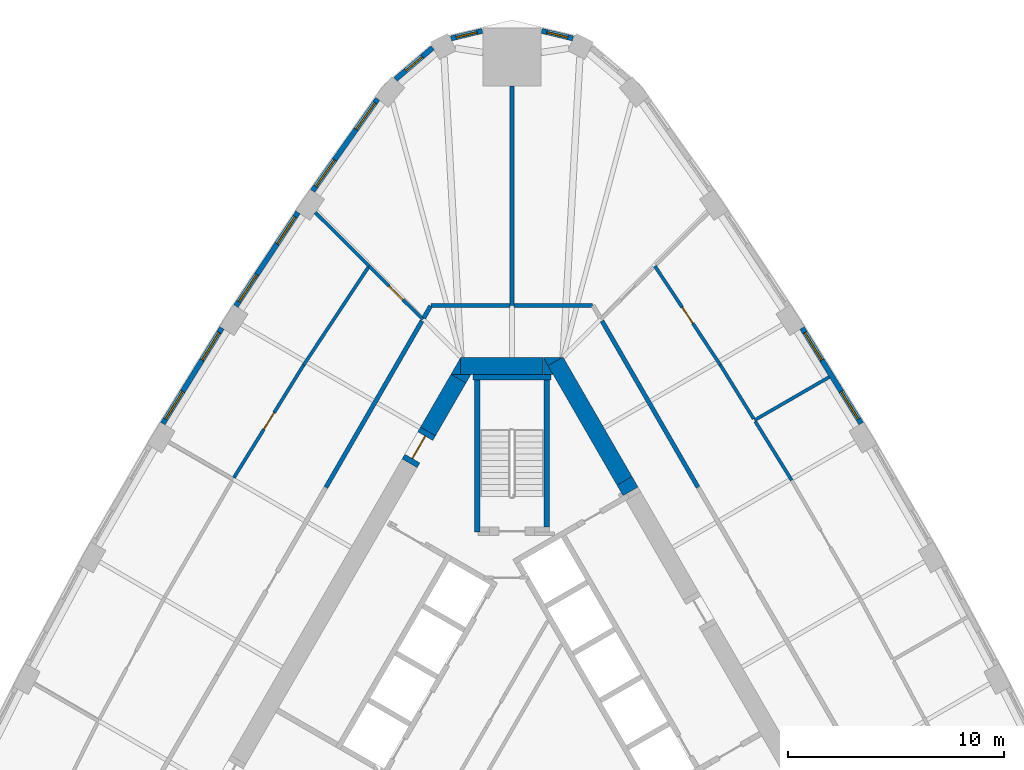
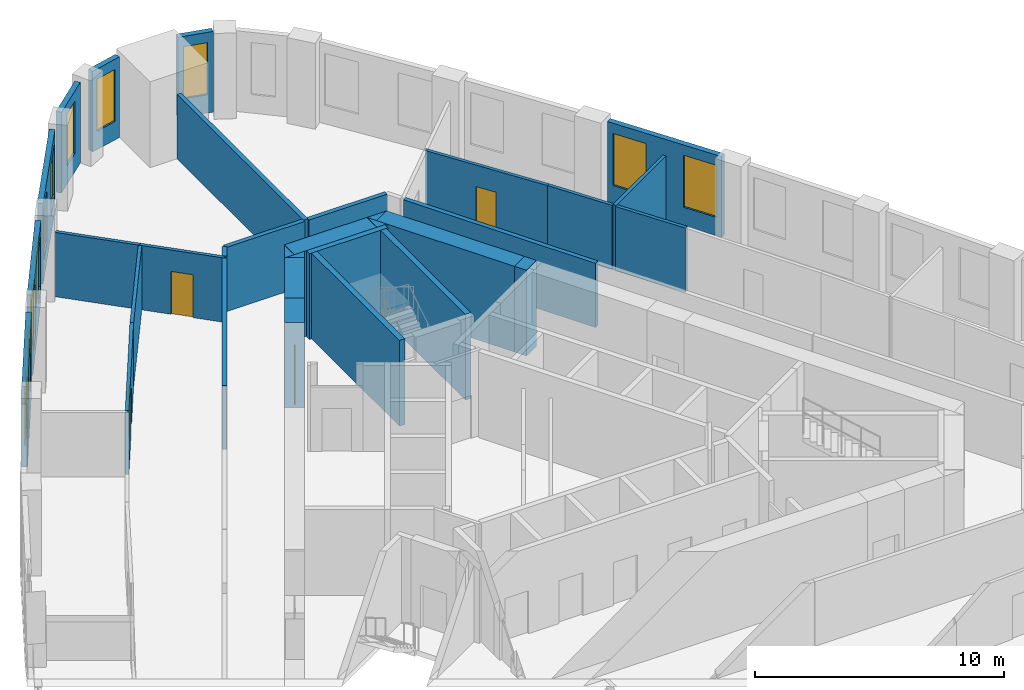
# One storey, part 8 of 10: 33 walls, 11 windows, 4 doors, 15 openings.
"""IFC4 building model written with IfcOpenShell, lengths in metres."""

from ifc_helpers import new_model, si_unit, direction, frame, frame_2d, origin, place, context, subcontext, project, spatial, polyline, rectangle, outline, extrude, material, layer, layer_set, type_object, element, fill, save


model = new_model("IFC4")

# Units and contexts
model_context = context("Model", 3, precision=1e-05, world=origin(), true_north=direction((0.0, 1.0)))
body_context = subcontext(model_context, "Body", "Model", "MODEL_VIEW")
ifc_project = project(units=[si_unit("LENGTHUNIT", "METRE"), si_unit("AREAUNIT", "SQUARE_METRE"), si_unit("VOLUMEUNIT", "CUBIC_METRE"), si_unit("PLANEANGLEUNIT", "RADIAN"), si_unit("MASSUNIT", "GRAM", prefix="KILO")], contexts=[model_context])

# Site, building, storey
site_placement = place(None, origin())
site = spatial("IfcSite", under=ifc_project, at=site_placement, CompositionType="ELEMENT")
building_placement = place(site_placement, origin())
building = spatial("IfcBuilding", under=site, at=building_placement, Name="Mestral Congress Tower", CompositionType="ELEMENT")
storey_placement = place(building_placement, frame((0.0, 0.0, 150.0)))
storey = spatial("IfcBuildingStorey", under=building, at=storey_placement, Name="L35", CompositionType="ELEMENT", Elevation=150.0)

# Walls
ifc_material_1 = material(Name="Concrete C60/75", Category="concrete")
ifc_layer_1 = layer(ifc_material_1, 0.800048828125)
ifc_layer_set_1 = layer_set([ifc_layer_1], Name="Concrete C60/75")
wall_type_1 = type_object("IfcWallType", Name="Core wall RC 800", PredefinedType="SOLIDWALL", material=ifc_layer_set_1)
wall_1_placement = place(storey_placement, frame((5.488525390625, 10.593505859375, 0.0), z_axis=(0.0, 0.0, 1.0), x_axis=(-0.500000383388, 0.866025182435, 0.0)))
element("IfcWall", 1, at=wall_1_placement, inside=storey, type_object=wall_type_1, Name="L35 core wall", PredefinedType="SOLIDWALL", context=body_context, shape_type="SweptSolid", body=[
    extrude(rectangle(XDim=0.5576171875, YDim=0.800048828125, at=frame_2d((0.27880859375, 0.0))), origin(), (0.0, 0.0, 1.0), 4.199951171875),
])
wall_2_placement = place(storey_placement, frame((5.208984375, 11.078125, 0.0), z_axis=(0.0, 0.0, 1.0), x_axis=(-0.500035624827, 0.866004834804, 0.0)))
element("IfcWall", 2, at=wall_2_placement, inside=storey, type_object=wall_type_1, Name="L35 core wall", PredefinedType="SOLIDWALL", context=body_context, shape_type="SweptSolid", body=[
    extrude(rectangle(XDim=6.38818359375, YDim=0.800048828125, at=frame_2d((3.194091796875, 0.0))), origin(), (0.0, 0.0, 1.0), 4.199951171875),
])
placement = place(storey_placement, origin())
element("IfcWall", 3, at=placement, inside=storey, type_object=wall_type_1, Name="L35 core wall", PredefinedType="SOLIDWALL", context=body_context, shape_type="SweptSolid", body=[
    extrude(outline(polyline([(1.443359375, 16.800048828125), (2.33935546875, 16.800048828125), (1.667236328125, 16.412109375), (1.443359375, 16.800048828125)])), origin(), (0.0, 0.0, 1.0), 4.199951171875),
])
wall_4_placement = place(storey_placement, frame((-2.37890625, 16.39990234375, 0.0), z_axis=(0.0, 0.0, 1.0), x_axis=(1.0, 0.0, 0.0)))
element("IfcWall", 4, at=wall_4_placement, inside=storey, type_object=wall_type_1, Name="L35 core wall", PredefinedType="SOLIDWALL", context=body_context, shape_type="SweptSolid", body=[
    extrude(rectangle(XDim=3.82421875, YDim=0.800048828125, at=frame_2d((1.912109375, 0.0))), origin(), (0.0, 0.0, 1.0), 4.199951171875),
])
element("IfcWall", 5, at=placement, inside=storey, type_object=wall_type_1, Name="L35 core wall", PredefinedType="SOLIDWALL", context=body_context, shape_type="SweptSolid", body=[
    extrude(outline(polyline([(1.9052734375, 16.0), (1.447265625, 16.0), (1.447265625, 16.793212890625), (1.9052734375, 16.0)])), origin(), (0.0, 0.0, 1.0), 4.199951171875),
])
element("IfcWall", 6, at=placement, inside=storey, type_object=wall_type_1, Name="L35 core wall", PredefinedType="SOLIDWALL", context=body_context, shape_type="SweptSolid", body=[
    extrude(outline(polyline([(-2.8291015625, 16.0), (-2.381103515625, 16.77587890625), (-2.381103515625, 16.0), (-2.8291015625, 16.0)])), origin(), (0.0, 0.0, 1.0), 4.199951171875),
])
wall_7_placement = place(storey_placement, frame((-2.476806640625, 15.810302734375, 0.0), z_axis=(0.0, 0.0, 1.0), x_axis=(-0.499969377405, -0.866043083026, 0.0)))
element("IfcWall", 7, at=wall_7_placement, inside=storey, type_object=wall_type_1, Name="L35 core wall", PredefinedType="SOLIDWALL", context=body_context, shape_type="SweptSolid", body=[
    extrude(rectangle(XDim=2.824462890625, YDim=0.800048828125, at=frame_2d((1.412109375, 0.0))), origin(), (0.0, 0.0, 1.0), 4.199951171875),
])
element("IfcWall", 8, at=placement, inside=storey, type_object=wall_type_1, Name="L35 core wall", PredefinedType="SOLIDWALL", context=body_context, shape_type="SweptSolid", body=[
    extrude(outline(polyline([(-1.9052734375, 16.0), (-2.12939453125, 15.612060546875), (-2.80126953125, 16.0), (-1.9052734375, 16.0)])), origin(), (0.0, 0.0, 1.0), 4.199951171875),
])

# Wall, opening, door
wall_9_placement = place(storey_placement, frame((-4.739013671875, 11.89208984375, 0.0), z_axis=(0.0, 0.0, 1.0), x_axis=(0.500062241894, 0.865989465428, 0.0)))
wall_9 = element("IfcWall", 9, at=wall_9_placement, inside=storey, type_object=wall_type_1, Name="L35 door wall", PredefinedType="SOLIDWALL", context=body_context, shape_type="SweptSolid", body=[
    extrude(rectangle(XDim=1.699951171875, YDim=0.800048828125, at=frame_2d((0.85009765625, 0.0))), origin(), (0.0, 0.0, 1.0), 4.199951171875),
])
opening_1_placement = place(wall_9_placement, frame((0.25, 0.0, 0.0)))
opening_1 = element("IfcOpeningElement", 10, at=opening_1_placement, cuts=wall_9, Name="Opening XD2", PredefinedType="OPENING", context=body_context, shape_type="SweptSolid", body=[
    extrude(rectangle(XDim=1.199951171875, YDim=2.10009765625, at=frame_2d((0.60009765625, 1.050048828125))), frame((0.0, 0.409912109375, 0.0), z_axis=(0.0, -1.0, 0.0), x_axis=(1.0, 0.0, 0.0)), (0.0, 0.0, 1.0), 0.820068359375),
])
ifc_material_2 = material(Name="Fire-rated steel door set", Category="steel")
door_type_1 = type_object("IfcDoorType", Name="Core door XD 1200x2100", OperationType="SINGLE_SWING_LEFT", PredefinedType="DOOR", material=ifc_material_2)
door_1_placement = place(opening_1_placement, origin())
door_1 = element("IfcDoor", 11, at=door_1_placement, inside=storey, type_object=door_type_1, Name="Door XD2", OperationType="SINGLE_SWING_LEFT", OverallHeight=2.10009765625, OverallWidth=1.199951171875, PredefinedType="DOOR", context=body_context, shape_type="SweptSolid", body=[
    extrude(rectangle(XDim=1.199951171875, YDim=2.10009765625, at=frame_2d((0.60009765625, 1.050048828125))), frame((0.0, 0.02490234375, 0.0), z_axis=(0.0, -1.0, 0.0), x_axis=(1.0, 0.0, 0.0)), (0.0, 0.0, 1.0), 0.050048828125),
])
fill(opening_1, door_1)

# Wall, openings, windows
ifc_material_3 = material(Name="Precast concrete C40/50 with limestone facing", Category="masonry")
ifc_layer_2 = layer(ifc_material_3, 0.239990234375)
ifc_layer_set_2 = layer_set([ifc_layer_2], Name="Precast concrete C40/50 with limestone facing")
wall_type_2 = type_object("IfcWallType", Name="Facade stone wall 240", PredefinedType="SOLIDWALL", material=ifc_layer_set_2)
wall_10_placement = place(storey_placement, frame((16.170654296875, 13.731201171875, 0.0), z_axis=(0.0, 0.0, 1.0), x_axis=(-0.526197926587, 0.850362124072, 0.0)))
wall_10 = element("IfcWall", 12, at=wall_10_placement, inside=storey, type_object=wall_type_2, Name="Facade wall F1-04", PredefinedType="SOLIDWALL", context=body_context, shape_type="SweptSolid", body=[
    extrude(rectangle(XDim=5.203369140625, YDim=0.239990234375, at=frame_2d((2.6015625, 0.0))), origin(), (0.0, 0.0, 1.0), 3.949951171875),
])
opening_2_placement = place(wall_10_placement, frame((0.248291015625, 0.0, 0.89990234375)))
opening_2 = element("IfcOpeningElement", 13, at=opening_2_placement, cuts=wall_10, Name="Opening W4", PredefinedType="OPENING", context=body_context, shape_type="SweptSolid", body=[
    extrude(rectangle(XDim=1.5, YDim=2.550048828125, at=frame_2d((0.75, 1.27490234375))), frame((0.0, 0.1298828125, 0.0), z_axis=(0.0, -1.0, 0.0), x_axis=(1.0, 0.0, 0.0)), (0.0, 0.0, 1.0), 0.260009765625),
])
opening_3_placement = place(wall_10_placement, frame((3.455078125, 0.0, 0.89990234375)))
opening_3 = element("IfcOpeningElement", 14, at=opening_3_placement, cuts=wall_10, Name="Opening W4", PredefinedType="OPENING", context=body_context, shape_type="SweptSolid", body=[
    extrude(rectangle(XDim=1.5, YDim=2.550048828125, at=frame_2d((0.75, 1.27490234375))), frame((0.0, 0.1298828125, 0.0), z_axis=(0.0, -1.0, 0.0), x_axis=(1.0, 0.0, 0.0)), (0.0, 0.0, 1.0), 0.260009765625),
])
ifc_material_4 = material(Name="Clear low-emissivity double glazing", Category="glass")
window_type_1 = type_object("IfcWindowType", Name="Facade punched window 1500 x 2550 sill 900", PartitioningType="SINGLE_PANEL", PredefinedType="WINDOW", material=ifc_material_4)
window_1_placement = place(opening_2_placement, origin())
window_1 = element("IfcWindow", 15, at=window_1_placement, inside=storey, type_object=window_type_1, Name="Window F1-04a", OverallHeight=2.550048828125, OverallWidth=1.5, PartitioningType="SINGLE_PANEL", PredefinedType="WINDOW", context=body_context, shape_type="SweptSolid", body=[
    extrude(rectangle(XDim=1.5, YDim=2.550048828125, at=frame_2d((0.75, 1.27490234375))), frame((0.0, 0.0400390625, 0.0), z_axis=(0.0, -1.0, 0.0), x_axis=(1.0, 0.0, 0.0)), (0.0, 0.0, 1.0), 0.06005859375),
])
fill(opening_2, window_1)
window_2_placement = place(opening_3_placement, origin())
window_2 = element("IfcWindow", 16, at=window_2_placement, inside=storey, type_object=window_type_1, Name="Window F1-04b", OverallHeight=2.550048828125, OverallWidth=1.5, PartitioningType="SINGLE_PANEL", PredefinedType="WINDOW", context=body_context, shape_type="SweptSolid", body=[
    extrude(rectangle(XDim=1.5, YDim=2.550048828125, at=frame_2d((0.75, 1.27490234375))), frame((0.0, 0.0400390625, 0.0), z_axis=(0.0, -1.0, 0.0), x_axis=(1.0, 0.0, 0.0)), (0.0, 0.0, 1.0), 0.06005859375),
])
fill(opening_3, window_2)

# Wall, opening, window
wall_11_placement = place(storey_placement, frame((2.821044921875, 31.56640625, 0.0), z_axis=(0.0, 0.0, 1.0), x_axis=(-0.972479955788, 0.232986556673, 0.0)))
wall_11 = element("IfcWall", 17, at=wall_11_placement, inside=storey, type_object=wall_type_2, Name="Facade wall K1-1", PredefinedType="SOLIDWALL", context=body_context, shape_type="SweptSolid", body=[
    extrude(rectangle(XDim=1.481689453125, YDim=0.239990234375, at=frame_2d((0.74072265625, 0.0))), origin(), (0.0, 0.0, 1.0), 3.949951171875),
])
opening_4_placement = place(wall_11_placement, frame((0.24072265625, 0.0, 0.89990234375)))
opening_4 = element("IfcOpeningElement", 18, at=opening_4_placement, cuts=wall_11, Name="Opening W5", PredefinedType="OPENING", context=body_context, shape_type="SweptSolid", body=[
    extrude(rectangle(XDim=1.0, YDim=2.550048828125, at=frame_2d((0.5, 1.27490234375))), frame((0.0, 0.1298828125, 0.0), z_axis=(0.0, -1.0, 0.0), x_axis=(1.0, 0.0, 0.0)), (0.0, 0.0, 1.0), 0.260009765625),
])
window_type_2 = type_object("IfcWindowType", Name="Facade punched window 1000 x 2550 sill 900", PartitioningType="SINGLE_PANEL", PredefinedType="WINDOW", material=ifc_material_4)
window_3_placement = place(opening_4_placement, origin())
window_3 = element("IfcWindow", 19, at=window_3_placement, inside=storey, type_object=window_type_2, Name="Window K1-1", OverallHeight=2.550048828125, OverallWidth=1.0, PartitioningType="SINGLE_PANEL", PredefinedType="WINDOW", context=body_context, shape_type="SweptSolid", body=[
    extrude(rectangle(XDim=1.0, YDim=2.550048828125, at=frame_2d((0.5, 1.27490234375))), frame((0.0, 0.0400390625, 0.0), z_axis=(0.0, -1.0, 0.0), x_axis=(1.0, 0.0, 0.0)), (0.0, 0.0, 1.0), 0.06005859375),
])
fill(opening_4, window_3)

wall_12_placement = place(storey_placement, frame((-1.380126953125, 31.91162109375, 0.0), z_axis=(0.0, 0.0, 1.0), x_axis=(-0.972479955788, -0.232986556673, 0.0)))
wall_12 = element("IfcWall", 20, at=wall_12_placement, inside=storey, type_object=wall_type_2, Name="Facade wall K1-2", PredefinedType="SOLIDWALL", context=body_context, shape_type="SweptSolid", body=[
    extrude(rectangle(XDim=1.481689453125, YDim=0.239990234375, at=frame_2d((0.74072265625, 0.0))), origin(), (0.0, 0.0, 1.0), 3.949951171875),
])
opening_5_placement = place(wall_12_placement, frame((0.24072265625, 0.0, 0.89990234375)))
opening_5 = element("IfcOpeningElement", 21, at=opening_5_placement, cuts=wall_12, Name="Opening W5", PredefinedType="OPENING", context=body_context, shape_type="SweptSolid", body=[
    extrude(rectangle(XDim=1.0, YDim=2.550048828125, at=frame_2d((0.5, 1.27490234375))), frame((0.0, 0.1298828125, 0.0), z_axis=(0.0, -1.0, 0.0), x_axis=(1.0, 0.0, 0.0)), (0.0, 0.0, 1.0), 0.260009765625),
])
window_4_placement = place(opening_5_placement, origin())
window_4 = element("IfcWindow", 22, at=window_4_placement, inside=storey, type_object=window_type_2, Name="Window K1-2", OverallHeight=2.550048828125, OverallWidth=1.0, PartitioningType="SINGLE_PANEL", PredefinedType="WINDOW", context=body_context, shape_type="SweptSolid", body=[
    extrude(rectangle(XDim=1.0, YDim=2.550048828125, at=frame_2d((0.5, 1.27490234375))), frame((0.0, 0.0400390625, 0.0), z_axis=(0.0, -1.0, 0.0), x_axis=(1.0, 0.0, 0.0)), (0.0, 0.0, 1.0), 0.06005859375),
])
fill(opening_5, window_4)

wall_13_placement = place(storey_placement, frame((-3.67822265625, 31.130859375, 0.0), z_axis=(0.0, 0.0, 1.0), x_axis=(-0.761419744247, -0.648259186645, 0.0)))
wall_13 = element("IfcWall", 23, at=wall_13_placement, inside=storey, type_object=wall_type_2, Name="Facade wall K1-3", PredefinedType="SOLIDWALL", context=body_context, shape_type="SweptSolid", body=[
    extrude(rectangle(XDim=2.250244140625, YDim=0.239990234375, at=frame_2d((1.125, 0.0))), origin(), (0.0, 0.0, 1.0), 3.949951171875),
])
opening_6_placement = place(wall_13_placement, frame((0.625244140625, 0.0, 0.89990234375)))
opening_6 = element("IfcOpeningElement", 24, at=opening_6_placement, cuts=wall_13, Name="Opening W5", PredefinedType="OPENING", context=body_context, shape_type="SweptSolid", body=[
    extrude(rectangle(XDim=1.0, YDim=2.550048828125, at=frame_2d((0.5, 1.27490234375))), frame((0.0, 0.1298828125, 0.0), z_axis=(0.0, -1.0, 0.0), x_axis=(1.0, 0.0, 0.0)), (0.0, 0.0, 1.0), 0.260009765625),
])
window_5_placement = place(opening_6_placement, origin())
window_5 = element("IfcWindow", 25, at=window_5_placement, inside=storey, type_object=window_type_2, Name="Window K1-3", OverallHeight=2.550048828125, OverallWidth=1.0, PartitioningType="SINGLE_PANEL", PredefinedType="WINDOW", context=body_context, shape_type="SweptSolid", body=[
    extrude(rectangle(XDim=1.0, YDim=2.550048828125, at=frame_2d((0.5, 1.27490234375))), frame((0.0, 0.0400390625, 0.0), z_axis=(0.0, -1.0, 0.0), x_axis=(1.0, 0.0, 0.0)), (0.0, 0.0, 1.0), 0.06005859375),
])
fill(opening_6, window_5)

# Wall, openings, windows
wall_14_placement = place(storey_placement, frame((-6.22265625, 28.76171875, 0.0), z_axis=(0.0, 0.0, 1.0), x_axis=(-0.577115207679, -0.816662743772, 0.0)))
wall_14 = element("IfcWall", 26, at=wall_14_placement, inside=storey, type_object=wall_type_2, Name="Facade wall F2-00", PredefinedType="SOLIDWALL", context=body_context, shape_type="SweptSolid", body=[
    extrude(rectangle(XDim=5.213134765625, YDim=0.239990234375, at=frame_2d((2.6064453125, 0.0))), origin(), (0.0, 0.0, 1.0), 3.949951171875),
])
opening_7_placement = place(wall_14_placement, frame((0.220703125, 0.0, 0.89990234375)))
opening_7 = element("IfcOpeningElement", 27, at=opening_7_placement, cuts=wall_14, Name="Opening W4", PredefinedType="OPENING", context=body_context, shape_type="SweptSolid", body=[
    extrude(rectangle(XDim=1.5, YDim=2.550048828125, at=frame_2d((0.75, 1.27490234375))), frame((0.0, 0.1298828125, 0.0), z_axis=(0.0, -1.0, 0.0), x_axis=(1.0, 0.0, 0.0)), (0.0, 0.0, 1.0), 0.260009765625),
])
opening_8_placement = place(wall_14_placement, frame((3.452392578125, 0.0, 0.89990234375)))
opening_8 = element("IfcOpeningElement", 28, at=opening_8_placement, cuts=wall_14, Name="Opening W4", PredefinedType="OPENING", context=body_context, shape_type="SweptSolid", body=[
    extrude(rectangle(XDim=1.5, YDim=2.550048828125, at=frame_2d((0.75, 1.27490234375))), frame((0.0, 0.1298828125, 0.0), z_axis=(0.0, -1.0, 0.0), x_axis=(1.0, 0.0, 0.0)), (0.0, 0.0, 1.0), 0.260009765625),
])
window_6_placement = place(opening_7_placement, origin())
window_6 = element("IfcWindow", 29, at=window_6_placement, inside=storey, type_object=window_type_1, Name="Window F2-00a", OverallHeight=2.550048828125, OverallWidth=1.5, PartitioningType="SINGLE_PANEL", PredefinedType="WINDOW", context=body_context, shape_type="SweptSolid", body=[
    extrude(rectangle(XDim=1.5, YDim=2.550048828125, at=frame_2d((0.75, 1.27490234375))), frame((0.0, 0.0400390625, 0.0), z_axis=(0.0, -1.0, 0.0), x_axis=(1.0, 0.0, 0.0)), (0.0, 0.0, 1.0), 0.06005859375),
])
fill(opening_7, window_6)
window_7_placement = place(opening_8_placement, origin())
window_7 = element("IfcWindow", 30, at=window_7_placement, inside=storey, type_object=window_type_1, Name="Window F2-00b", OverallHeight=2.550048828125, OverallWidth=1.5, PartitioningType="SINGLE_PANEL", PredefinedType="WINDOW", context=body_context, shape_type="SweptSolid", body=[
    extrude(rectangle(XDim=1.5, YDim=2.550048828125, at=frame_2d((0.75, 1.27490234375))), frame((0.0, 0.0400390625, 0.0), z_axis=(0.0, -1.0, 0.0), x_axis=(1.0, 0.0, 0.0)), (0.0, 0.0, 1.0), 0.06005859375),
])
fill(opening_8, window_7)

wall_15_placement = place(storey_placement, frame((-9.911376953125, 23.510009765625, 0.0), z_axis=(0.0, 0.0, 1.0), x_axis=(-0.551892811511, -0.833915058386, 0.0)))
wall_15 = element("IfcWall", 31, at=wall_15_placement, inside=storey, type_object=wall_type_2, Name="Facade wall F2-01", PredefinedType="SOLIDWALL", context=body_context, shape_type="SweptSolid", body=[
    extrude(rectangle(XDim=5.20361328125, YDim=0.239990234375, at=frame_2d((2.601806640625, 0.0))), origin(), (0.0, 0.0, 1.0), 3.949951171875),
])
opening_9_placement = place(wall_15_placement, frame((0.248291015625, 0.0, 0.89990234375)))
opening_9 = element("IfcOpeningElement", 32, at=opening_9_placement, cuts=wall_15, Name="Opening W4", PredefinedType="OPENING", context=body_context, shape_type="SweptSolid", body=[
    extrude(rectangle(XDim=1.5, YDim=2.550048828125, at=frame_2d((0.75, 1.27490234375))), frame((0.0, 0.1298828125, 0.0), z_axis=(0.0, -1.0, 0.0), x_axis=(1.0, 0.0, 0.0)), (0.0, 0.0, 1.0), 0.260009765625),
])
opening_10_placement = place(wall_15_placement, frame((3.455078125, 0.0, 0.89990234375)))
opening_10 = element("IfcOpeningElement", 33, at=opening_10_placement, cuts=wall_15, Name="Opening W4", PredefinedType="OPENING", context=body_context, shape_type="SweptSolid", body=[
    extrude(rectangle(XDim=1.5, YDim=2.550048828125, at=frame_2d((0.75, 1.27490234375))), frame((0.0, 0.1298828125, 0.0), z_axis=(0.0, -1.0, 0.0), x_axis=(1.0, 0.0, 0.0)), (0.0, 0.0, 1.0), 0.260009765625),
])
window_8_placement = place(opening_9_placement, origin())
window_8 = element("IfcWindow", 34, at=window_8_placement, inside=storey, type_object=window_type_1, Name="Window F2-01a", OverallHeight=2.550048828125, OverallWidth=1.5, PartitioningType="SINGLE_PANEL", PredefinedType="WINDOW", context=body_context, shape_type="SweptSolid", body=[
    extrude(rectangle(XDim=1.5, YDim=2.550048828125, at=frame_2d((0.75, 1.27490234375))), frame((0.0, 0.0400390625, 0.0), z_axis=(0.0, -1.0, 0.0), x_axis=(1.0, 0.0, 0.0)), (0.0, 0.0, 1.0), 0.06005859375),
])
fill(opening_9, window_8)
window_9_placement = place(opening_10_placement, origin())
window_9 = element("IfcWindow", 35, at=window_9_placement, inside=storey, type_object=window_type_1, Name="Window F2-01b", OverallHeight=2.550048828125, OverallWidth=1.5, PartitioningType="SINGLE_PANEL", PredefinedType="WINDOW", context=body_context, shape_type="SweptSolid", body=[
    extrude(rectangle(XDim=1.5, YDim=2.550048828125, at=frame_2d((0.75, 1.27490234375))), frame((0.0, 0.0400390625, 0.0), z_axis=(0.0, -1.0, 0.0), x_axis=(1.0, 0.0, 0.0)), (0.0, 0.0, 1.0), 0.06005859375),
])
fill(opening_10, window_9)

wall_16_placement = place(storey_placement, frame((-13.4326171875, 18.156005859375, 0.0), z_axis=(0.0, 0.0, 1.0), x_axis=(-0.526197926587, -0.850362124072, 0.0)))
wall_16 = element("IfcWall", 36, at=wall_16_placement, inside=storey, type_object=wall_type_2, Name="Facade wall F2-02", PredefinedType="SOLIDWALL", context=body_context, shape_type="SweptSolid", body=[
    extrude(rectangle(XDim=5.203369140625, YDim=0.239990234375, at=frame_2d((2.6015625, 0.0))), origin(), (0.0, 0.0, 1.0), 3.949951171875),
])
opening_11_placement = place(wall_16_placement, frame((0.248291015625, 0.0, 0.89990234375)))
opening_11 = element("IfcOpeningElement", 37, at=opening_11_placement, cuts=wall_16, Name="Opening W4", PredefinedType="OPENING", context=body_context, shape_type="SweptSolid", body=[
    extrude(rectangle(XDim=1.5, YDim=2.550048828125, at=frame_2d((0.75, 1.27490234375))), frame((0.0, 0.1298828125, 0.0), z_axis=(0.0, -1.0, 0.0), x_axis=(1.0, 0.0, 0.0)), (0.0, 0.0, 1.0), 0.260009765625),
])
opening_12_placement = place(wall_16_placement, frame((3.455078125, 0.0, 0.89990234375)))
opening_12 = element("IfcOpeningElement", 38, at=opening_12_placement, cuts=wall_16, Name="Opening W4", PredefinedType="OPENING", context=body_context, shape_type="SweptSolid", body=[
    extrude(rectangle(XDim=1.5, YDim=2.550048828125, at=frame_2d((0.75, 1.27490234375))), frame((0.0, 0.1298828125, 0.0), z_axis=(0.0, -1.0, 0.0), x_axis=(1.0, 0.0, 0.0)), (0.0, 0.0, 1.0), 0.260009765625),
])
window_10_placement = place(opening_11_placement, origin())
window_10 = element("IfcWindow", 39, at=window_10_placement, inside=storey, type_object=window_type_1, Name="Window F2-02a", OverallHeight=2.550048828125, OverallWidth=1.5, PartitioningType="SINGLE_PANEL", PredefinedType="WINDOW", context=body_context, shape_type="SweptSolid", body=[
    extrude(rectangle(XDim=1.5, YDim=2.550048828125, at=frame_2d((0.75, 1.27490234375))), frame((0.0, 0.0400390625, 0.0), z_axis=(0.0, -1.0, 0.0), x_axis=(1.0, 0.0, 0.0)), (0.0, 0.0, 1.0), 0.06005859375),
])
fill(opening_11, window_10)
window_11_placement = place(opening_12_placement, origin())
window_11 = element("IfcWindow", 40, at=window_11_placement, inside=storey, type_object=window_type_1, Name="Window F2-02b", OverallHeight=2.550048828125, OverallWidth=1.5, PartitioningType="SINGLE_PANEL", PredefinedType="WINDOW", context=body_context, shape_type="SweptSolid", body=[
    extrude(rectangle(XDim=1.5, YDim=2.550048828125, at=frame_2d((0.75, 1.27490234375))), frame((0.0, 0.0400390625, 0.0), z_axis=(0.0, -1.0, 0.0), x_axis=(1.0, 0.0, 0.0)), (0.0, 0.0, 1.0), 0.06005859375),
])
fill(opening_12, window_11)

# Walls
ifc_material_5 = material(Name="Plasterboard partition on steel studs", Category="steel")
ifc_layer_3 = layer(ifc_material_5, 0.14990234375)
ifc_layer_set_3 = layer_set([ifc_layer_3], Name="Plasterboard partition on steel studs")
wall_type_3 = type_object("IfcWallType", Name="Office partition 150", PredefinedType="PARTITIONING", material=ifc_layer_set_3)
wall_17_placement = place(storey_placement, frame((11.229248046875, 13.88720703125, 0.0), z_axis=(0.0, 0.0, 1.0), x_axis=(0.866038271014, 0.499977712642, 0.0)))
element("IfcWall", 41, at=wall_17_placement, inside=storey, type_object=wall_type_3, Name="Partition", PredefinedType="PARTITIONING", context=body_context, shape_type="SweptSolid", body=[
    extrude(rectangle(XDim=4.001708984375, YDim=0.14990234375, at=frame_2d((2.0009765625, 0.0))), origin(), (0.0, 0.0, 1.0), 3.14990234375),
])
wall_18_placement = place(storey_placement, frame((12.951171875, 11.1044921875, 0.0), z_axis=(0.0, 0.0, 1.0), x_axis=(-0.526204763311, 0.850357893518, 0.0)))
element("IfcWall", 42, at=wall_18_placement, inside=storey, type_object=wall_type_3, Name="Partition", PredefinedType="PARTITIONING", context=body_context, shape_type="SweptSolid", body=[
    extrude(rectangle(XDim=3.197265625, YDim=0.14990234375, at=frame_2d((1.5986328125, 0.0))), origin(), (0.0, 0.0, 1.0), 3.14990234375),
])
wall_19_placement = place(storey_placement, frame((11.189697265625, 13.950927734375, 0.0), z_axis=(0.0, 0.0, 1.0), x_axis=(-0.526165616903, 0.850382116221, 0.0)))
element("IfcWall", 43, at=wall_19_placement, inside=storey, type_object=wall_type_3, Name="Partition", PredefinedType="PARTITIONING", context=body_context, shape_type="SweptSolid", body=[
    extrude(rectangle(XDim=2.935302734375, YDim=0.14990234375, at=frame_2d((1.4677734375, 0.0))), origin(), (0.0, 0.0, 1.0), 3.14990234375),
])

# Wall, opening, door
wall_20_placement = place(storey_placement, frame((6.6162109375, 21.023681640625, 0.0), z_axis=(0.0, 0.0, 1.0), x_axis=(0.551915124006, -0.833900291338, 0.0)))
wall_20 = element("IfcWall", 44, at=wall_20_placement, inside=storey, type_object=wall_type_3, Name="Partition", PredefinedType="PARTITIONING", context=body_context, shape_type="SweptSolid", body=[
    extrude(rectangle(XDim=5.48828125, YDim=0.14990234375, at=frame_2d((2.744140625, 0.0))), origin(), (0.0, 0.0, 1.0), 3.14990234375),
])
opening_13_placement = place(wall_20_placement, frame((2.288330078125, 0.0, 0.0)))
opening_13 = element("IfcOpeningElement", 45, at=opening_13_placement, cuts=wall_20, Name="Opening O01-010", PredefinedType="OPENING", context=body_context, shape_type="SweptSolid", body=[
    extrude(rectangle(XDim=0.89990234375, YDim=2.10009765625, at=frame_2d((0.449951171875, 1.050048828125))), frame((0.0, 0.0849609375, 0.0), z_axis=(0.0, -1.0, 0.0), x_axis=(1.0, 0.0, 0.0)), (0.0, 0.0, 1.0), 0.169921875),
])
ifc_material_6 = material(Name="Timber door set", Category="wood")
door_type_2 = type_object("IfcDoorType", Name="Office door 900x2100", OperationType="SINGLE_SWING_LEFT", PredefinedType="DOOR", material=ifc_material_6)
door_2_placement = place(opening_13_placement, origin())
door_2 = element("IfcDoor", 46, at=door_2_placement, inside=storey, type_object=door_type_2, Name="Door O01-010", OperationType="SINGLE_SWING_LEFT", OverallHeight=2.10009765625, OverallWidth=0.89990234375, PredefinedType="DOOR", context=body_context, shape_type="SweptSolid", body=[
    extrude(rectangle(XDim=0.89990234375, YDim=2.10009765625, at=frame_2d((0.449951171875, 1.050048828125))), frame((0.0, 0.02490234375, 0.0), z_axis=(0.0, -1.0, 0.0), x_axis=(1.0, 0.0, 0.0)), (0.0, 0.0, 1.0), 0.050048828125),
])
fill(opening_13, door_2)

# Wall
wall_21_placement = place(storey_placement, frame((-6.61328125, 21.020751953125, 0.0), z_axis=(0.0, 0.0, 1.0), x_axis=(-0.709222036241, 0.704985179497, 0.0)))
element("IfcWall", 47, at=wall_21_placement, inside=storey, type_object=wall_type_3, Name="Partition", PredefinedType="PARTITIONING", context=body_context, shape_type="SweptSolid", body=[
    extrude(rectangle(XDim=3.514892578125, YDim=0.14990234375, at=frame_2d((1.75732421875, 0.0))), origin(), (0.0, 0.0, 1.0), 3.14990234375),
])

# Wall, opening, door
wall_22_placement = place(storey_placement, frame((-6.618896484375, 21.026611328125, 0.0), z_axis=(0.0, 0.0, 1.0), x_axis=(0.709188943058, -0.705018470002, 0.0)))
wall_22 = element("IfcWall", 48, at=wall_22_placement, inside=storey, type_object=wall_type_3, Name="Partition", PredefinedType="PARTITIONING", context=body_context, shape_type="SweptSolid", body=[
    extrude(rectangle(XDim=3.512451171875, YDim=0.14990234375, at=frame_2d((1.75634765625, 0.0))), origin(), (0.0, 0.0, 1.0), 3.14990234375),
])
opening_14_placement = place(wall_22_placement, frame((1.3125, 0.0, 0.0)))
opening_14 = element("IfcOpeningElement", 49, at=opening_14_placement, cuts=wall_22, Name="Opening O01-013", PredefinedType="OPENING", context=body_context, shape_type="SweptSolid", body=[
    extrude(rectangle(XDim=0.89990234375, YDim=2.10009765625, at=frame_2d((0.449951171875, 1.050048828125))), frame((0.0, 0.0849609375, 0.0), z_axis=(0.0, -1.0, 0.0), x_axis=(1.0, 0.0, 0.0)), (0.0, 0.0, 1.0), 0.169921875),
])
door_3_placement = place(opening_14_placement, origin())
door_3 = element("IfcDoor", 50, at=door_3_placement, inside=storey, type_object=door_type_2, Name="Door O01-013", OperationType="SINGLE_SWING_RIGHT", OverallHeight=2.10009765625, OverallWidth=0.89990234375, PredefinedType="DOOR", context=body_context, shape_type="SweptSolid", body=[
    extrude(rectangle(XDim=0.89990234375, YDim=2.10009765625, at=frame_2d((0.449951171875, 1.050048828125))), frame((0.0, 0.02490234375, 0.0), z_axis=(0.0, -1.0, 0.0), x_axis=(1.0, 0.0, 0.0)), (0.0, 0.0, 1.0), 0.050048828125),
])
fill(opening_14, door_3)

# Wall
wall_23_placement = place(storey_placement, frame((-6.658447265625, 20.9599609375, 0.0), z_axis=(0.0, 0.0, 1.0), x_axis=(-0.551907039463, -0.833905642019, 0.0)))
element("IfcWall", 51, at=wall_23_placement, inside=storey, type_object=wall_type_3, Name="Partition", PredefinedType="PARTITIONING", context=body_context, shape_type="SweptSolid", body=[
    extrude(rectangle(XDim=5.411865234375, YDim=0.14990234375, at=frame_2d((2.7060546875, 0.0))), origin(), (0.0, 0.0, 1.0), 3.14990234375),
])

# Wall, opening, door
wall_24_placement = place(storey_placement, frame((-12.877197265625, 11.22412109375, 0.0), z_axis=(0.0, 0.0, 1.0), x_axis=(0.526202711334, 0.850359163286, 0.0)))
wall_24 = element("IfcWall", 52, at=wall_24_placement, inside=storey, type_object=wall_type_3, Name="Partition", PredefinedType="PARTITIONING", context=body_context, shape_type="SweptSolid", body=[
    extrude(rectangle(XDim=6.14208984375, YDim=0.14990234375, at=frame_2d((3.071044921875, 0.0))), origin(), (0.0, 0.0, 1.0), 3.14990234375),
])
opening_15_placement = place(wall_24_placement, frame((2.64208984375, 0.0, 0.0)))
opening_15 = element("IfcOpeningElement", 53, at=opening_15_placement, cuts=wall_24, Name="Opening O01-014", PredefinedType="OPENING", context=body_context, shape_type="SweptSolid", body=[
    extrude(rectangle(XDim=0.89990234375, YDim=2.10009765625, at=frame_2d((0.449951171875, 1.050048828125))), frame((0.0, 0.0849609375, 0.0), z_axis=(0.0, -1.0, 0.0), x_axis=(1.0, 0.0, 0.0)), (0.0, 0.0, 1.0), 0.169921875),
])
door_4_placement = place(opening_15_placement, origin())
door_4 = element("IfcDoor", 54, at=door_4_placement, inside=storey, type_object=door_type_2, Name="Door O01-014", OperationType="SINGLE_SWING_RIGHT", OverallHeight=2.10009765625, OverallWidth=0.89990234375, PredefinedType="DOOR", context=body_context, shape_type="SweptSolid", body=[
    extrude(rectangle(XDim=0.89990234375, YDim=2.10009765625, at=frame_2d((0.449951171875, 1.050048828125))), frame((0.0, 0.02490234375, 0.0), z_axis=(0.0, -1.0, 0.0), x_axis=(1.0, 0.0, 0.0)), (0.0, 0.0, 1.0), 0.050048828125),
])
fill(opening_15, door_4)

# Walls
ifc_material_7 = material(Name="Dense masonry wall, plastered", Category="masonry")
ifc_layer_4 = layer(ifc_material_7, 0.199951171875)
ifc_layer_set_4 = layer_set([ifc_layer_4], Name="Dense masonry wall, plastered")
wall_type_4 = type_object("IfcWallType", Name="Office tenancy wall 200", PredefinedType="PARTITIONING", material=ifc_layer_set_4)
wall_25_placement = place(storey_placement, frame((8.611328125, 10.78466796875, 0.0), z_axis=(0.0, 0.0, 1.0), x_axis=(-0.499987928593, 0.866032373102, 0.0)))
element("IfcWall", 55, at=wall_25_placement, inside=storey, type_object=wall_type_4, Name="Tenancy wall", PredefinedType="PARTITIONING", context=body_context, shape_type="SweptSolid", body=[
    extrude(rectangle(XDim=8.889404296875, YDim=0.199951171875, at=frame_2d((4.44482421875, 0.0))), origin(), (0.0, 0.0, 1.0), 3.14990234375),
])
wall_26_placement = place(storey_placement, frame((0.0, 19.199951171875, 0.0), z_axis=(0.0, 0.0, 1.0), x_axis=(0.0, 1.0, 0.0)))
element("IfcWall", 56, at=wall_26_placement, inside=storey, type_object=wall_type_4, Name="Tenancy wall", PredefinedType="PARTITIONING", context=body_context, shape_type="SweptSolid", body=[
    extrude(rectangle(XDim=10.154296875, YDim=0.199951171875, at=frame_2d((5.0771484375, 0.0))), origin(), (0.0, 0.0, 1.0), 3.14990234375),
])
wall_27_placement = place(storey_placement, frame((3.722900390625, 19.199951171875, 0.0), z_axis=(0.0, 0.0, 1.0), x_axis=(-1.0, 0.0, 0.0)))
element("IfcWall", 57, at=wall_27_placement, inside=storey, type_object=wall_type_4, Name="Tenancy wall", PredefinedType="PARTITIONING", context=body_context, shape_type="SweptSolid", body=[
    extrude(rectangle(XDim=3.622802734375, YDim=0.199951171875, at=frame_2d((1.8115234375, 0.0))), origin(), (0.0, 0.0, 1.0), 3.14990234375),
])
wall_28_placement = place(storey_placement, frame((-0.10009765625, 19.199951171875, 0.0), z_axis=(0.0, 0.0, 1.0), x_axis=(-1.0, 0.0, 0.0)))
element("IfcWall", 58, at=wall_28_placement, inside=storey, type_object=wall_type_4, Name="Tenancy wall", PredefinedType="PARTITIONING", context=body_context, shape_type="SweptSolid", body=[
    extrude(rectangle(XDim=3.652587890625, YDim=0.199951171875, at=frame_2d((1.826171875, 0.0))), origin(), (0.0, 0.0, 1.0), 3.14990234375),
])
wall_29_placement = place(storey_placement, frame((-3.767822265625, 19.174072265625, 0.0), z_axis=(0.0, 0.0, 1.0), x_axis=(-0.499897828833, -0.8660843843, 0.0)))
element("IfcWall", 59, at=wall_29_placement, inside=storey, type_object=wall_type_4, Name="Tenancy wall", PredefinedType="PARTITIONING", context=body_context, shape_type="SweptSolid", body=[
    extrude(rectangle(XDim=0.642822265625, YDim=0.199951171875, at=frame_2d((0.3212890625, 0.0))), origin(), (0.0, 0.0, 1.0), 3.14990234375),
])
wall_30_placement = place(storey_placement, frame((-4.166748046875, 18.483154296875, 0.0), z_axis=(0.0, 0.0, 1.0), x_axis=(-0.499974340325, -0.866040217898, 0.0)))
element("IfcWall", 60, at=wall_30_placement, inside=storey, type_object=wall_type_4, Name="Tenancy wall", PredefinedType="PARTITIONING", context=body_context, shape_type="SweptSolid", body=[
    extrude(rectangle(XDim=8.8935546875, YDim=0.199951171875, at=frame_2d((4.44677734375, 0.0))), origin(), (0.0, 0.0, 1.0), 3.14990234375),
])
ifc_layer_5 = layer(ifc_material_1, 0.25)
ifc_layer_set_5 = layer_set([ifc_layer_5], Name="Concrete C60/75")
wall_type_5 = type_object("IfcWallType", Name="Stair wall RC 250", PredefinedType="SOLIDWALL", material=ifc_layer_set_5)
wall_31_placement = place(storey_placement, frame((-1.81689453125, 15.875, 0.0), z_axis=(0.0, 0.0, 1.0), x_axis=(1.0, 0.0, 0.0)))
element("IfcWall", 61, at=wall_31_placement, inside=storey, type_object=wall_type_5, Name="L35 core wall", PredefinedType="SOLIDWALL", context=body_context, shape_type="SweptSolid", body=[
    extrude(rectangle(XDim=3.6337890625, YDim=0.25, at=frame_2d((1.81689453125, 0.0))), origin(), (0.0, 0.0, 1.0), 4.199951171875),
])
wall_32_placement = place(storey_placement, frame((1.60009765625, 8.949951171875, 0.0), z_axis=(0.0, 0.0, 1.0), x_axis=(0.0, 1.0, 0.0)))
element("IfcWall", 62, at=wall_32_placement, inside=storey, type_object=wall_type_5, Name="L35 core wall", PredefinedType="SOLIDWALL", context=body_context, shape_type="SweptSolid", body=[
    extrude(rectangle(XDim=6.800048828125, YDim=0.25, at=frame_2d((3.39990234375, 0.0))), origin(), (0.0, 0.0, 1.0), 4.199951171875),
])
wall_33_placement = place(storey_placement, frame((-1.60009765625, 8.699951171875, 0.0), z_axis=(0.0, 0.0, 1.0), x_axis=(0.0, 1.0, 0.0)))
element("IfcWall", 63, at=wall_33_placement, inside=storey, type_object=wall_type_5, Name="L35 core wall", PredefinedType="SOLIDWALL", context=body_context, shape_type="SweptSolid", body=[
    extrude(rectangle(XDim=7.050048828125, YDim=0.25, at=frame_2d((3.52490234375, 0.0))), origin(), (0.0, 0.0, 1.0), 4.199951171875),
])

save(model, "model.ifc")
